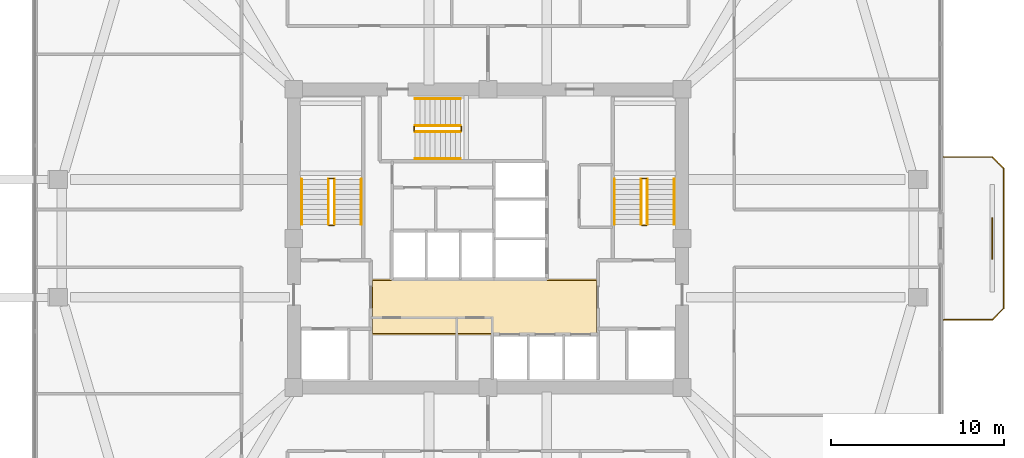
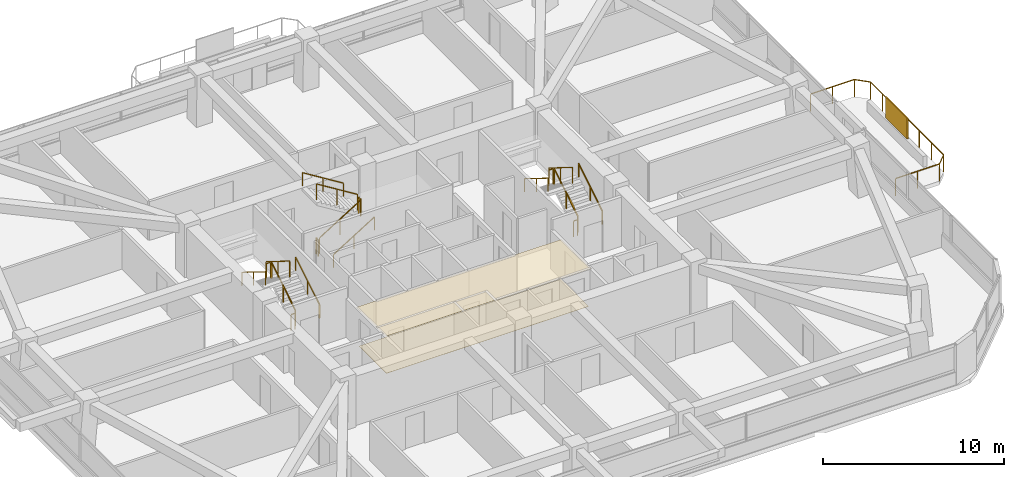
# One storey, part 13 of 14: 19 railings, 2 coverings, 1 shading device.
"""IFC4 building model written with IfcOpenShell, lengths in metres."""

from ifc_helpers import new_model, si_unit, derived_unit, direction, frame, origin, origin_2d, place, context, subcontext, project, spatial, polyline, rectangle, outline, extrude, material, layer, layer_set, type_object, element, save


model = new_model("IFC4")

# Units and contexts
model_context = context("Model", 3, precision=1e-05, world=origin(), true_north=direction((0.0, 1.0)))
body_context = subcontext(model_context, "Body", "Model", "MODEL_VIEW")
ifc_project = project(units=[si_unit("LENGTHUNIT", "METRE"), si_unit("AREAUNIT", "SQUARE_METRE"), si_unit("VOLUMEUNIT", "CUBIC_METRE"), si_unit("PLANEANGLEUNIT", "RADIAN"), si_unit("MASSUNIT", "GRAM", prefix="KILO"), derived_unit("THERMALTRANSMITTANCEUNIT", [(si_unit("POWERUNIT", "WATT"), 1), (si_unit("LENGTHUNIT", "METRE"), -2), (si_unit("THERMODYNAMICTEMPERATUREUNIT", "KELVIN"), -1)])], contexts=[model_context])

# Site, building, storey
site_placement = place(None, origin())
site = spatial("IfcSite", under=ifc_project, at=site_placement, CompositionType="ELEMENT")
building_placement = place(site_placement, origin())
building = spatial("IfcBuilding", under=site, at=building_placement, Name="Koralith Skygarden Medical Center", CompositionType="ELEMENT")
storey_placement = place(building_placement, frame((0.0, 0.0, 95.580078125)))
storey = spatial("IfcBuildingStorey", under=building, at=storey_placement, Name="L24", CompositionType="ELEMENT", Elevation=95.580078125)

# Covering
ifc_material_1 = material(Name="Acoustic Mineral Tile")
ifc_layer_1 = layer(ifc_material_1, 0.02001953125)
ifc_layer_set_1 = layer_set([ifc_layer_1], Name="Acoustic Mineral Tile")
covering_type_1 = type_object("IfcCoveringType", Name="Acoustic Hygienic Mineral Ceiling 20", PredefinedType="CEILING", material=ifc_layer_set_1)
covering_1_placement = place(storey_placement, frame((0.0, 0.0, 2.5849609375)))
element("IfcCovering", 1, at=covering_1_placement, inside=storey, type_object=covering_type_1, Name="L24 Core Lobby Acoustic Ceiling", PredefinedType="CEILING", context=body_context, shape_type="SweptSolid", body=[
    extrude(outline(polyline([(30.25, 20.320068359375), (43.35009765625, 20.320068359375), (43.35009765625, 23.56005859375), (30.25, 23.56005859375), (30.25, 20.320068359375)])), origin(), (0.0, 0.0, 1.0), 0.02001953125),
])

# Railing
ifc_material_2 = material(Name="Steel ASTM A500 Grade C", Category="steel")
railing_type_1 = type_object("IfcRailingType", Name="Outdoor Terrace & Balcony Safety Guardrail 1180", PredefinedType="GUARDRAIL", material=ifc_material_2)
railing_1_placement = place(storey_placement, frame((63.2958984375, 21.199951171875, 0.0)))
element("IfcRailing", 2, at=railing_1_placement, inside=storey, type_object=railing_type_1, Name="L24 E Balcony Perimeter Guardrail", PredefinedType="GUARDRAIL", context=body_context, shape_type="SweptSolid", body=[
    extrude(rectangle(XDim=0.050048828125, YDim=0.050048828125, at=origin_2d()), frame((0.001953125, 0.0, 1.15478515625), z_axis=(1.0, 0.0, 0.0), x_axis=(0.0, 1.0, 0.0)), (0.0, 0.0, 1.0), 2.796142578125),
    extrude(rectangle(XDim=0.050048828125, YDim=0.050048828125, at=origin_2d()), frame((2.801513671875, 0.00146484375, 1.15478515625), z_axis=(0.707106781187, 0.707106781187, 0.0), x_axis=(-0.707106781187, 0.707106781187, 0.0)), (0.0, 0.0, 1.0), 0.91552734375),
    extrude(rectangle(XDim=0.050048828125, YDim=0.050048828125, at=origin_2d()), frame((3.4501953125, 0.652099609375, 1.15478515625), z_axis=(0.0, 1.0, 0.0), x_axis=(-1.0, 0.0, 0.0)), (0.0, 0.0, 1.0), 8.095947265625),
    extrude(rectangle(XDim=0.050048828125, YDim=0.050048828125, at=origin_2d()), frame((3.44873046875, 8.75146484375, 1.15478515625), z_axis=(-0.707106781187, 0.707106781187, 0.0), x_axis=(-0.707106781187, -0.707106781187, 0.0)), (0.0, 0.0, 1.0), 0.91552734375),
    extrude(rectangle(XDim=0.050048828125, YDim=0.050048828125, at=origin_2d()), frame((2.798095703125, 9.400146484375, 1.15478515625), z_axis=(-1.0, 0.0, 0.0), x_axis=(0.0, -1.0, 0.0)), (0.0, 0.0, 1.0), 2.796142578125),
    extrude(rectangle(XDim=0.0419921875, YDim=0.0419921875, at=origin_2d()), origin(), (0.0, 0.0, 1.0), 1.1279296875),
    extrude(rectangle(XDim=0.0419921875, YDim=0.0419921875, at=origin_2d()), frame((1.39990234375, 0.0, 0.0)), (0.0, 0.0, 1.0), 1.1279296875),
    extrude(rectangle(XDim=0.0419921875, YDim=0.0419921875, at=origin_2d()), frame((2.800048828125, 0.0, 0.0)), (0.0, 0.0, 1.0), 1.1279296875),
    extrude(rectangle(XDim=0.0419921875, YDim=0.0419921875, at=origin_2d()), frame((3.4501953125, 0.650146484375, 0.0)), (0.0, 0.0, 1.0), 1.1279296875),
    extrude(rectangle(XDim=0.0419921875, YDim=0.0419921875, at=origin_2d()), frame((3.4501953125, 2.0, 0.0)), (0.0, 0.0, 1.0), 1.1279296875),
    extrude(rectangle(XDim=0.0419921875, YDim=0.0419921875, at=origin_2d()), frame((3.4501953125, 3.35009765625, 0.0)), (0.0, 0.0, 1.0), 1.1279296875),
    extrude(rectangle(XDim=0.0419921875, YDim=0.0419921875, at=origin_2d()), frame((3.4501953125, 4.7001953125, 0.0)), (0.0, 0.0, 1.0), 1.1279296875),
    extrude(rectangle(XDim=0.0419921875, YDim=0.0419921875, at=origin_2d()), frame((3.4501953125, 6.050048828125, 0.0)), (0.0, 0.0, 1.0), 1.1279296875),
    extrude(rectangle(XDim=0.0419921875, YDim=0.0419921875, at=origin_2d()), frame((3.4501953125, 7.39990234375, 0.0)), (0.0, 0.0, 1.0), 1.1279296875),
    extrude(rectangle(XDim=0.0419921875, YDim=0.0419921875, at=origin_2d()), frame((3.4501953125, 8.75, 0.0)), (0.0, 0.0, 1.0), 1.1279296875),
    extrude(rectangle(XDim=0.0419921875, YDim=0.0419921875, at=origin_2d()), frame((2.800048828125, 9.400146484375, 0.0)), (0.0, 0.0, 1.0), 1.1279296875),
    extrude(rectangle(XDim=0.0419921875, YDim=0.0419921875, at=origin_2d()), frame((1.39990234375, 9.400146484375, 0.0)), (0.0, 0.0, 1.0), 1.1279296875),
    extrude(rectangle(XDim=0.0419921875, YDim=0.0419921875, at=origin_2d()), frame((0.0, 9.400146484375, 0.0)), (0.0, 0.0, 1.0), 1.1279296875),
])

# Shading device
ifc_material_3 = material(Name="Aluminium 6063-T6", Category="aluminium")
ifc_layer_2 = layer(ifc_material_3, 0.080078125)
ifc_layer_set_2 = layer_set([ifc_layer_2], Name="Aluminium 6063-T6")
shading_device_type = type_object("IfcShadingDeviceType", Name="Perforated Biophilic Balcony Trellis Screen", PredefinedType="USERDEFINED", material=ifc_layer_set_2)
shading_device_placement = place(storey_placement, frame((66.095947265625, 25.89990234375, 0.719970703125), z_axis=(0.0, 0.0, 1.0), x_axis=(0.0, 1.0, 0.0)))
element("IfcShadingDevice", 3, at=shading_device_placement, inside=storey, type_object=shading_device_type, Name="L24 E Biophilic Balcony Trellis Screen", ObjectType="HURRICANE SCREEN", PredefinedType="USERDEFINED", context=body_context, shape_type="SweptSolid", body=[
    extrude(rectangle(XDim=2.39990234375, YDim=0.080078125, at=origin_2d()), origin(), (0.0, 0.0, 1.0), 1.39990234375),
])

# Covering
ifc_material_4 = material(Name="Medical Terrazzo Flooring")
ifc_layer_3 = layer(ifc_material_4, 0.014892578125)
ifc_layer_set_3 = layer_set([ifc_layer_3], Name="Medical Terrazzo Flooring")
covering_type_2 = type_object("IfcCoveringType", Name="Seamless Antimicrobial Terrazzo Flooring 15", PredefinedType="FLOORING", material=ifc_layer_set_3)
covering_2_placement = place(storey_placement, origin())
element("IfcCovering", 4, at=covering_2_placement, inside=storey, type_object=covering_type_2, Name="L24 Core Lobby Terrazzo Flooring", PredefinedType="FLOORING", context=body_context, shape_type="SweptSolid", body=[
    extrude(outline(polyline([(30.35009765625, 20.419921875), (43.25, 20.419921875), (43.25, 23.4599609375), (30.35009765625, 23.4599609375), (30.35009765625, 20.419921875)])), origin(), (0.0, 0.0, 1.0), 0.014892578125),
])

# Railings
railing_type_2 = type_object("IfcRailingType", Name="Stair Flight Tubular Handrail 920", PredefinedType="HANDRAIL", material=ifc_material_2)
railing_2_placement = place(storey_placement, frame((29.699951171875, 26.699951171875, 0.179931640625)))
element("IfcRailing", 5, at=railing_2_placement, inside=storey, type_object=railing_type_2, Name="L24 ST1 stair handrail 1", PredefinedType="HANDRAIL", context=body_context, shape_type="SweptSolid", body=[
    extrude(rectangle(XDim=0.050048828125, YDim=0.050048828125, at=origin_2d()), frame((0.0, 0.001708984375, 0.89599609375), z_axis=(0.0, 0.849668407637, 0.527317358963), x_axis=(-1.0, 0.0, 0.0)), (0.0, 0.0, 1.0), 3.06787109375),
    extrude(rectangle(XDim=0.0419921875, YDim=0.0419921875, at=origin_2d()), origin(), (0.0, 0.0, 1.0), 0.867919921875),
    extrude(rectangle(XDim=0.0419921875, YDim=0.0419921875, at=origin_2d()), frame((0.0, 1.30517578125, 0.81005859375)), (0.0, 0.0, 1.0), 0.867919921875),
    extrude(rectangle(XDim=0.0419921875, YDim=0.0419921875, at=origin_2d()), frame((0.0, 2.610107421875, 1.619873046875)), (0.0, 0.0, 1.0), 0.867919921875),
])
railing_3_placement = place(storey_placement, frame((26.25, 29.31005859375, 1.97998046875)))
element("IfcRailing", 6, at=railing_3_placement, inside=storey, type_object=railing_type_2, Name="L24 ST1 stair handrail 2", PredefinedType="HANDRAIL", context=body_context, shape_type="SweptSolid", body=[
    extrude(rectangle(XDim=0.050048828125, YDim=0.050048828125, at=origin_2d()), frame((0.0, -0.001708984375, 0.89599609375), z_axis=(0.0, -0.849668407637, 0.527317358963), x_axis=(1.0, 0.0, 0.0)), (0.0, 0.0, 1.0), 3.06787109375),
    extrude(rectangle(XDim=0.0419921875, YDim=0.0419921875, at=origin_2d()), origin(), (0.0, 0.0, 1.0), 0.867919921875),
    extrude(rectangle(XDim=0.0419921875, YDim=0.0419921875, at=origin_2d()), frame((0.0, -1.30517578125, 0.81005859375)), (0.0, 0.0, 1.0), 0.867919921875),
    extrude(rectangle(XDim=0.0419921875, YDim=0.0419921875, at=origin_2d()), frame((0.0, -2.610107421875, 1.619873046875)), (0.0, 0.0, 1.0), 0.867919921875),
])
railing_4_placement = place(storey_placement, frame((47.75, 26.699951171875, 0.179931640625)))
element("IfcRailing", 7, at=railing_4_placement, inside=storey, type_object=railing_type_2, Name="L24 ST2 stair handrail 1", PredefinedType="HANDRAIL", context=body_context, shape_type="SweptSolid", body=[
    extrude(rectangle(XDim=0.050048828125, YDim=0.050048828125, at=origin_2d()), frame((0.0, 0.001708984375, 0.89599609375), z_axis=(0.0, 0.849668407637, 0.527317358963), x_axis=(-1.0, 0.0, 0.0)), (0.0, 0.0, 1.0), 3.06787109375),
    extrude(rectangle(XDim=0.0419921875, YDim=0.0419921875, at=origin_2d()), origin(), (0.0, 0.0, 1.0), 0.867919921875),
    extrude(rectangle(XDim=0.0419921875, YDim=0.0419921875, at=origin_2d()), frame((0.0, 1.30517578125, 0.81005859375)), (0.0, 0.0, 1.0), 0.867919921875),
    extrude(rectangle(XDim=0.0419921875, YDim=0.0419921875, at=origin_2d()), frame((0.0, 2.610107421875, 1.619873046875)), (0.0, 0.0, 1.0), 0.867919921875),
])
railing_5_placement = place(storey_placement, frame((44.300048828125, 29.31005859375, 1.97998046875)))
element("IfcRailing", 8, at=railing_5_placement, inside=storey, type_object=railing_type_2, Name="L24 ST2 stair handrail 2", PredefinedType="HANDRAIL", context=body_context, shape_type="SweptSolid", body=[
    extrude(rectangle(XDim=0.050048828125, YDim=0.050048828125, at=origin_2d()), frame((0.0, -0.001708984375, 0.89599609375), z_axis=(0.0, -0.849668407637, 0.527317358963), x_axis=(1.0, 0.0, 0.0)), (0.0, 0.0, 1.0), 3.06787109375),
    extrude(rectangle(XDim=0.0419921875, YDim=0.0419921875, at=origin_2d()), origin(), (0.0, 0.0, 1.0), 0.867919921875),
    extrude(rectangle(XDim=0.0419921875, YDim=0.0419921875, at=origin_2d()), frame((0.0, -1.30517578125, 0.81005859375)), (0.0, 0.0, 1.0), 0.867919921875),
    extrude(rectangle(XDim=0.0419921875, YDim=0.0419921875, at=origin_2d()), frame((0.0, -2.610107421875, 1.619873046875)), (0.0, 0.0, 1.0), 0.867919921875),
])
railing_6_placement = place(storey_placement, frame((32.800048828125, 30.5, 0.179931640625)))
element("IfcRailing", 9, at=railing_6_placement, inside=storey, type_object=railing_type_2, Name="L24 ST3 stair handrail 1", PredefinedType="HANDRAIL", context=body_context, shape_type="SweptSolid", body=[
    extrude(rectangle(XDim=0.050048828125, YDim=0.050048828125, at=origin_2d()), frame((0.001708984375, 0.0, 0.89599609375), z_axis=(0.849646306263, 0.0, 0.527352969322), x_axis=(0.0, 1.0, 0.0)), (0.0, 0.0, 1.0), 3.067626953125),
    extrude(rectangle(XDim=0.0419921875, YDim=0.0419921875, at=origin_2d()), origin(), (0.0, 0.0, 1.0), 0.867919921875),
    extrude(rectangle(XDim=0.0419921875, YDim=0.0419921875, at=origin_2d()), frame((1.304931640625, 0.0, 0.81005859375)), (0.0, 0.0, 1.0), 0.867919921875),
    extrude(rectangle(XDim=0.0419921875, YDim=0.0419921875, at=origin_2d()), frame((2.60986328125, 0.0, 1.619873046875)), (0.0, 0.0, 1.0), 0.867919921875),
])
railing_7_placement = place(storey_placement, frame((35.409912109375, 33.949951171875, 1.97998046875)))
element("IfcRailing", 10, at=railing_7_placement, inside=storey, type_object=railing_type_2, Name="L24 ST3 stair handrail 2", PredefinedType="HANDRAIL", context=body_context, shape_type="SweptSolid", body=[
    extrude(rectangle(XDim=0.050048828125, YDim=0.050048828125, at=origin_2d()), frame((-0.001708984375, 0.0, 0.89599609375), z_axis=(-0.849646306263, 0.0, 0.527352969322), x_axis=(0.0, -1.0, 0.0)), (0.0, 0.0, 1.0), 3.067626953125),
    extrude(rectangle(XDim=0.0419921875, YDim=0.0419921875, at=origin_2d()), origin(), (0.0, 0.0, 1.0), 0.867919921875),
    extrude(rectangle(XDim=0.0419921875, YDim=0.0419921875, at=origin_2d()), frame((-1.304931640625, 0.0, 0.81005859375)), (0.0, 0.0, 1.0), 0.867919921875),
    extrude(rectangle(XDim=0.0419921875, YDim=0.0419921875, at=origin_2d()), frame((-2.60986328125, 0.0, 1.619873046875)), (0.0, 0.0, 1.0), 0.867919921875),
])
railing_type_3 = type_object("IfcRailingType", Name="Stair Well Safety Guardrail 1100", PredefinedType="GUARDRAIL", material=ifc_material_2)
railing_8_placement = place(storey_placement, frame((28.14990234375, 26.699951171875, 0.179931640625)))
element("IfcRailing", 11, at=railing_8_placement, inside=storey, type_object=railing_type_3, Name="L24 ST1 stair guard 1", PredefinedType="GUARDRAIL", context=body_context, shape_type="SweptSolid", body=[
    extrude(rectangle(XDim=0.050048828125, YDim=0.050048828125, at=origin_2d()), frame((0.0, 0.001708984375, 1.076171875), z_axis=(0.0, 0.849668407637, 0.527317358963), x_axis=(-1.0, 0.0, 0.0)), (0.0, 0.0, 1.0), 3.06787109375),
    extrude(rectangle(XDim=0.0419921875, YDim=0.0419921875, at=origin_2d()), origin(), (0.0, 0.0, 1.0), 1.048095703125),
    extrude(rectangle(XDim=0.0419921875, YDim=0.0419921875, at=origin_2d()), frame((0.0, 1.30517578125, 0.81005859375)), (0.0, 0.0, 1.0), 1.048095703125),
    extrude(rectangle(XDim=0.0419921875, YDim=0.0419921875, at=origin_2d()), frame((0.0, 2.610107421875, 1.619873046875)), (0.0, 0.0, 1.0), 1.048095703125),
])
railing_9_placement = place(storey_placement, frame((28.10009765625, 29.360107421875, 1.7998046875)))
element("IfcRailing", 12, at=railing_9_placement, inside=storey, type_object=railing_type_3, Name="L24 ST1 stair guard 2", PredefinedType="GUARDRAIL", context=body_context, shape_type="SweptSolid", body=[
    extrude(rectangle(XDim=0.050048828125, YDim=0.050048828125, at=origin_2d()), frame((-0.001953125, 0.0, 1.0751953125), z_axis=(-1.0, 0.0, 0.0), x_axis=(0.0, -1.0, 0.0)), (0.0, 0.0, 1.0), 0.24609375),
    extrude(rectangle(XDim=0.0419921875, YDim=0.0419921875, at=origin_2d()), origin(), (0.0, 0.0, 1.0), 1.048095703125),
    extrude(rectangle(XDim=0.0419921875, YDim=0.0419921875, at=origin_2d()), frame((-0.25, 0.0, 0.0)), (0.0, 0.0, 1.0), 1.048095703125),
])
railing_10_placement = place(storey_placement, frame((27.800048828125, 29.31005859375, 1.97998046875)))
element("IfcRailing", 13, at=railing_10_placement, inside=storey, type_object=railing_type_3, Name="L24 ST1 stair guard 3", PredefinedType="GUARDRAIL", context=body_context, shape_type="SweptSolid", body=[
    extrude(rectangle(XDim=0.050048828125, YDim=0.050048828125, at=origin_2d()), frame((0.0, -0.001708984375, 1.076171875), z_axis=(0.0, -0.849668407637, 0.527317358963), x_axis=(1.0, 0.0, 0.0)), (0.0, 0.0, 1.0), 3.06787109375),
    extrude(rectangle(XDim=0.0419921875, YDim=0.0419921875, at=origin_2d()), origin(), (0.0, 0.0, 1.0), 1.048095703125),
    extrude(rectangle(XDim=0.0419921875, YDim=0.0419921875, at=origin_2d()), frame((0.0, -1.30517578125, 0.81005859375)), (0.0, 0.0, 1.0), 1.048095703125),
    extrude(rectangle(XDim=0.0419921875, YDim=0.0419921875, at=origin_2d()), frame((0.0, -2.610107421875, 1.619873046875)), (0.0, 0.0, 1.0), 1.048095703125),
])
railing_11_placement = place(storey_placement, frame((28.10009765625, 26.64990234375, 0.0)))
element("IfcRailing", 14, at=railing_11_placement, inside=storey, type_object=railing_type_3, Name="L24 ST1 stair guard 4", PredefinedType="GUARDRAIL", context=body_context, shape_type="SweptSolid", body=[
    extrude(rectangle(XDim=0.050048828125, YDim=0.050048828125, at=origin_2d()), frame((-0.001953125, 0.0, 1.0751953125), z_axis=(-1.0, 0.0, 0.0), x_axis=(0.0, -1.0, 0.0)), (0.0, 0.0, 1.0), 0.24609375),
    extrude(rectangle(XDim=0.0419921875, YDim=0.0419921875, at=origin_2d()), origin(), (0.0, 0.0, 1.0), 1.048095703125),
    extrude(rectangle(XDim=0.0419921875, YDim=0.0419921875, at=origin_2d()), frame((-0.25, 0.0, 0.0)), (0.0, 0.0, 1.0), 1.048095703125),
])
railing_12_placement = place(storey_placement, frame((46.199951171875, 26.699951171875, 0.179931640625)))
element("IfcRailing", 15, at=railing_12_placement, inside=storey, type_object=railing_type_3, Name="L24 ST2 stair guard 1", PredefinedType="GUARDRAIL", context=body_context, shape_type="SweptSolid", body=[
    extrude(rectangle(XDim=0.050048828125, YDim=0.050048828125, at=origin_2d()), frame((0.0, 0.001708984375, 1.076171875), z_axis=(0.0, 0.849668407637, 0.527317358963), x_axis=(-1.0, 0.0, 0.0)), (0.0, 0.0, 1.0), 3.06787109375),
    extrude(rectangle(XDim=0.0419921875, YDim=0.0419921875, at=origin_2d()), origin(), (0.0, 0.0, 1.0), 1.048095703125),
    extrude(rectangle(XDim=0.0419921875, YDim=0.0419921875, at=origin_2d()), frame((0.0, 1.30517578125, 0.81005859375)), (0.0, 0.0, 1.0), 1.048095703125),
    extrude(rectangle(XDim=0.0419921875, YDim=0.0419921875, at=origin_2d()), frame((0.0, 2.610107421875, 1.619873046875)), (0.0, 0.0, 1.0), 1.048095703125),
])
railing_13_placement = place(storey_placement, frame((46.14990234375, 29.360107421875, 1.7998046875)))
element("IfcRailing", 16, at=railing_13_placement, inside=storey, type_object=railing_type_3, Name="L24 ST2 stair guard 2", PredefinedType="GUARDRAIL", context=body_context, shape_type="SweptSolid", body=[
    extrude(rectangle(XDim=0.050048828125, YDim=0.050048828125, at=origin_2d()), frame((-0.001953125, 0.0, 1.0751953125), z_axis=(-1.0, 0.0, 0.0), x_axis=(0.0, -1.0, 0.0)), (0.0, 0.0, 1.0), 0.24609375),
    extrude(rectangle(XDim=0.0419921875, YDim=0.0419921875, at=origin_2d()), origin(), (0.0, 0.0, 1.0), 1.048095703125),
    extrude(rectangle(XDim=0.0419921875, YDim=0.0419921875, at=origin_2d()), frame((-0.25, 0.0, 0.0)), (0.0, 0.0, 1.0), 1.048095703125),
])
railing_14_placement = place(storey_placement, frame((45.85009765625, 29.31005859375, 1.97998046875)))
element("IfcRailing", 17, at=railing_14_placement, inside=storey, type_object=railing_type_3, Name="L24 ST2 stair guard 3", PredefinedType="GUARDRAIL", context=body_context, shape_type="SweptSolid", body=[
    extrude(rectangle(XDim=0.050048828125, YDim=0.050048828125, at=origin_2d()), frame((0.0, -0.001708984375, 1.076171875), z_axis=(0.0, -0.849668407637, 0.527317358963), x_axis=(1.0, 0.0, 0.0)), (0.0, 0.0, 1.0), 3.06787109375),
    extrude(rectangle(XDim=0.0419921875, YDim=0.0419921875, at=origin_2d()), origin(), (0.0, 0.0, 1.0), 1.048095703125),
    extrude(rectangle(XDim=0.0419921875, YDim=0.0419921875, at=origin_2d()), frame((0.0, -1.30517578125, 0.81005859375)), (0.0, 0.0, 1.0), 1.048095703125),
    extrude(rectangle(XDim=0.0419921875, YDim=0.0419921875, at=origin_2d()), frame((0.0, -2.610107421875, 1.619873046875)), (0.0, 0.0, 1.0), 1.048095703125),
])
railing_15_placement = place(storey_placement, frame((46.14990234375, 26.64990234375, 0.0)))
element("IfcRailing", 18, at=railing_15_placement, inside=storey, type_object=railing_type_3, Name="L24 ST2 stair guard 4", PredefinedType="GUARDRAIL", context=body_context, shape_type="SweptSolid", body=[
    extrude(rectangle(XDim=0.050048828125, YDim=0.050048828125, at=origin_2d()), frame((-0.001953125, 0.0, 1.0751953125), z_axis=(-1.0, 0.0, 0.0), x_axis=(0.0, -1.0, 0.0)), (0.0, 0.0, 1.0), 0.24609375),
    extrude(rectangle(XDim=0.0419921875, YDim=0.0419921875, at=origin_2d()), origin(), (0.0, 0.0, 1.0), 1.048095703125),
    extrude(rectangle(XDim=0.0419921875, YDim=0.0419921875, at=origin_2d()), frame((-0.25, 0.0, 0.0)), (0.0, 0.0, 1.0), 1.048095703125),
])
railing_16_placement = place(storey_placement, frame((32.800048828125, 32.050048828125, 0.179931640625)))
element("IfcRailing", 19, at=railing_16_placement, inside=storey, type_object=railing_type_3, Name="L24 ST3 stair guard 1", PredefinedType="GUARDRAIL", context=body_context, shape_type="SweptSolid", body=[
    extrude(rectangle(XDim=0.050048828125, YDim=0.050048828125, at=origin_2d()), frame((0.001708984375, 0.0, 1.076171875), z_axis=(0.849646306263, 0.0, 0.527352969322), x_axis=(0.0, 1.0, 0.0)), (0.0, 0.0, 1.0), 3.067626953125),
    extrude(rectangle(XDim=0.0419921875, YDim=0.0419921875, at=origin_2d()), origin(), (0.0, 0.0, 1.0), 1.048095703125),
    extrude(rectangle(XDim=0.0419921875, YDim=0.0419921875, at=origin_2d()), frame((1.304931640625, 0.0, 0.81005859375)), (0.0, 0.0, 1.0), 1.048095703125),
    extrude(rectangle(XDim=0.0419921875, YDim=0.0419921875, at=origin_2d()), frame((2.60986328125, 0.0, 1.619873046875)), (0.0, 0.0, 1.0), 1.048095703125),
])
railing_17_placement = place(storey_placement, frame((35.4599609375, 32.10009765625, 1.7998046875)))
element("IfcRailing", 20, at=railing_17_placement, inside=storey, type_object=railing_type_3, Name="L24 ST3 stair guard 2", PredefinedType="GUARDRAIL", context=body_context, shape_type="SweptSolid", body=[
    extrude(rectangle(XDim=0.050048828125, YDim=0.050048828125, at=origin_2d()), frame((0.0, 0.001953125, 1.0751953125), z_axis=(0.0, 1.0, 0.0), x_axis=(-1.0, 0.0, 0.0)), (0.0, 0.0, 1.0), 0.24609375),
    extrude(rectangle(XDim=0.0419921875, YDim=0.0419921875, at=origin_2d()), origin(), (0.0, 0.0, 1.0), 1.048095703125),
    extrude(rectangle(XDim=0.0419921875, YDim=0.0419921875, at=origin_2d()), frame((0.0, 0.25, 0.0)), (0.0, 0.0, 1.0), 1.048095703125),
])
railing_18_placement = place(storey_placement, frame((35.409912109375, 32.39990234375, 1.97998046875)))
element("IfcRailing", 21, at=railing_18_placement, inside=storey, type_object=railing_type_3, Name="L24 ST3 stair guard 3", PredefinedType="GUARDRAIL", context=body_context, shape_type="SweptSolid", body=[
    extrude(rectangle(XDim=0.050048828125, YDim=0.050048828125, at=origin_2d()), frame((-0.001708984375, 0.0, 1.076171875), z_axis=(-0.849646306263, 0.0, 0.527352969322), x_axis=(0.0, -1.0, 0.0)), (0.0, 0.0, 1.0), 3.067626953125),
    extrude(rectangle(XDim=0.0419921875, YDim=0.0419921875, at=origin_2d()), origin(), (0.0, 0.0, 1.0), 1.048095703125),
    extrude(rectangle(XDim=0.0419921875, YDim=0.0419921875, at=origin_2d()), frame((-1.304931640625, 0.0, 0.81005859375)), (0.0, 0.0, 1.0), 1.048095703125),
    extrude(rectangle(XDim=0.0419921875, YDim=0.0419921875, at=origin_2d()), frame((-2.60986328125, 0.0, 1.619873046875)), (0.0, 0.0, 1.0), 1.048095703125),
])
railing_19_placement = place(storey_placement, frame((32.75, 32.10009765625, 0.0)))
element("IfcRailing", 22, at=railing_19_placement, inside=storey, type_object=railing_type_3, Name="L24 ST3 stair guard 4", PredefinedType="GUARDRAIL", context=body_context, shape_type="SweptSolid", body=[
    extrude(rectangle(XDim=0.050048828125, YDim=0.050048828125, at=origin_2d()), frame((0.0, 0.001953125, 1.0751953125), z_axis=(0.0, 1.0, 0.0), x_axis=(-1.0, 0.0, 0.0)), (0.0, 0.0, 1.0), 0.24609375),
    extrude(rectangle(XDim=0.0419921875, YDim=0.0419921875, at=origin_2d()), origin(), (0.0, 0.0, 1.0), 1.048095703125),
    extrude(rectangle(XDim=0.0419921875, YDim=0.0419921875, at=origin_2d()), frame((0.0, 0.25, 0.0)), (0.0, 0.0, 1.0), 1.048095703125),
])

save(model, "model.ifc")
